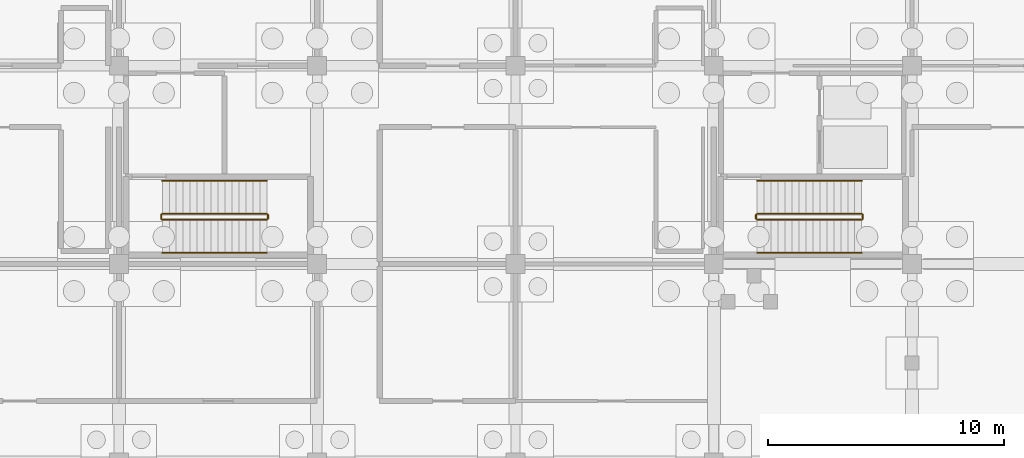
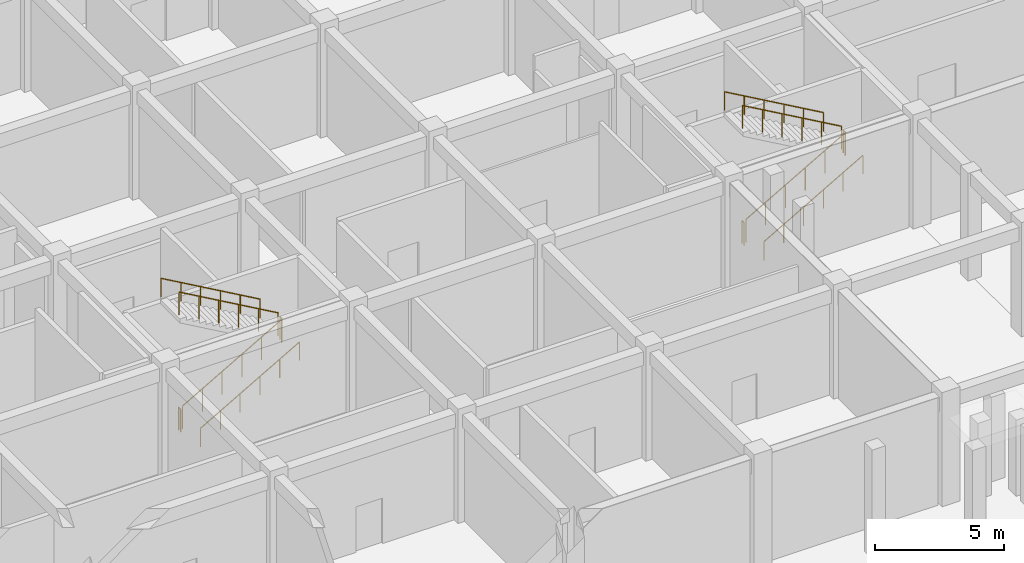
# One storey, part 53 of 65: 12 railings.
"""IFC4 building model written with IfcOpenShell, lengths in metres."""

from ifc_helpers import new_model, si_unit, direction, frame, origin, origin_2d, place, context, subcontext, project, spatial, circle, extrude, material, type_object, element, save


model = new_model("IFC4")

# Units and contexts
model_context = context("Model", 3, precision=1e-05, world=origin(), true_north=direction((0.0, 1.0)))
body_context = subcontext(model_context, "Body", "Model", "MODEL_VIEW")
ifc_project = project(units=[si_unit("LENGTHUNIT", "METRE"), si_unit("AREAUNIT", "SQUARE_METRE"), si_unit("VOLUMEUNIT", "CUBIC_METRE"), si_unit("PLANEANGLEUNIT", "RADIAN"), si_unit("MASSUNIT", "GRAM", prefix="KILO")], contexts=[model_context])

# Site, building, storey
site_placement = place(None, origin())
site = spatial("IfcSite", under=ifc_project, at=site_placement, CompositionType="ELEMENT")
building_placement = place(site_placement, origin())
building = spatial("IfcBuilding", under=site, at=building_placement, Name="Bramfleet General Hospital", CompositionType="ELEMENT")
storey_placement = place(building_placement, frame((0.0, 0.0, -5.39990234375)))
storey = spatial("IfcBuildingStorey", under=building, at=storey_placement, Name="B1", CompositionType="ELEMENT", Elevation=-5.39990234375)

# Railings
ifc_material_1 = material(Name="Powder-coated steel stair balustrade", Category="steel")
railing_type_1 = type_object("IfcRailingType", Name="RAIL-ST-GUARD", PredefinedType="GUARDRAIL", material=ifc_material_1)
railing_1_placement = place(storey_placement, frame((52.239990234375, 18.669921875, 0.168701171875)))
element("IfcRailing", 1, at=railing_1_placement, inside=storey, type_object=railing_type_1, Name="B1 ST-C1 stair guard 1", PredefinedType="GUARDRAIL", context=body_context, shape_type="SweptSolid", body=[
    extrude(circle(Radius=0.02392578125, at=origin_2d()), frame((0.0, 0.0, 1.076171875), z_axis=(0.868019072493, 0.0, 0.49653085482), x_axis=(0.0, 1.0, 0.0)), (0.0, 0.0, 1.0), 5.097900390625),
    extrude(circle(Radius=0.02099609375, at=origin_2d()), origin(), (0.0, 0.0, 1.0), 1.052001953125),
    extrude(circle(Radius=0.02099609375, at=origin_2d()), frame((0.885009765625, 0.0, 0.50634765625)), (0.0, 0.0, 1.0), 1.052001953125),
    extrude(circle(Radius=0.02099609375, at=origin_2d()), frame((1.77001953125, 0.0, 1.012451171875)), (0.0, 0.0, 1.0), 1.052001953125),
    extrude(circle(Radius=0.02099609375, at=origin_2d()), frame((2.655029296875, 0.0, 1.518798828125)), (0.0, 0.0, 1.0), 1.052001953125),
    extrude(circle(Radius=0.02099609375, at=origin_2d()), frame((3.5400390625, 0.0, 2.02490234375)), (0.0, 0.0, 1.0), 1.052001953125),
    extrude(circle(Radius=0.02099609375, at=origin_2d()), frame((4.425048828125, 0.0, 2.53125)), (0.0, 0.0, 1.0), 1.052001953125),
])
railing_2_placement = place(storey_placement, frame((56.715087890625, 18.719970703125, 2.699951171875)))
element("IfcRailing", 2, at=railing_2_placement, inside=storey, type_object=railing_type_1, Name="B1 ST-C1 stair guard 2", PredefinedType="GUARDRAIL", context=body_context, shape_type="SweptSolid", body=[
    extrude(circle(Radius=0.02392578125, at=origin_2d()), frame((0.0, 0.0, 1.076171875), z_axis=(0.0, 1.0, 0.0), x_axis=(-1.0, 0.0, 0.0)), (0.0, 0.0, 1.0), 0.159912109375),
    extrude(circle(Radius=0.02099609375, at=origin_2d()), origin(), (0.0, 0.0, 1.0), 1.052001953125),
    extrude(circle(Radius=0.02099609375, at=origin_2d()), frame((0.0, 0.159912109375, 0.0)), (0.0, 0.0, 1.0), 1.052001953125),
])
railing_3_placement = place(storey_placement, frame((56.6650390625, 18.929931640625, 2.86865234375)))
element("IfcRailing", 3, at=railing_3_placement, inside=storey, type_object=railing_type_1, Name="B1 ST-C1 stair guard 3", PredefinedType="GUARDRAIL", context=body_context, shape_type="SweptSolid", body=[
    extrude(circle(Radius=0.02392578125, at=origin_2d()), frame((0.0, 0.0, 1.076171875), z_axis=(-0.868019072493, 0.0, 0.49653085482), x_axis=(0.0, -1.0, 0.0)), (0.0, 0.0, 1.0), 5.097900390625),
    extrude(circle(Radius=0.02099609375, at=origin_2d()), origin(), (0.0, 0.0, 1.0), 1.052001953125),
    extrude(circle(Radius=0.02099609375, at=origin_2d()), frame((-0.885009765625, 0.0, 0.50634765625)), (0.0, 0.0, 1.0), 1.052001953125),
    extrude(circle(Radius=0.02099609375, at=origin_2d()), frame((-1.77001953125, 0.0, 1.012451171875)), (0.0, 0.0, 1.0), 1.052001953125),
    extrude(circle(Radius=0.02099609375, at=origin_2d()), frame((-2.655029296875, 0.0, 1.518798828125)), (0.0, 0.0, 1.0), 1.052001953125),
    extrude(circle(Radius=0.02099609375, at=origin_2d()), frame((-3.5400390625, 0.0, 2.02490234375)), (0.0, 0.0, 1.0), 1.052001953125),
    extrude(circle(Radius=0.02099609375, at=origin_2d()), frame((-4.425048828125, 0.0, 2.53125)), (0.0, 0.0, 1.0), 1.052001953125),
])
railing_4_placement = place(storey_placement, frame((52.18994140625, 18.719970703125, 0.0)))
element("IfcRailing", 4, at=railing_4_placement, inside=storey, type_object=railing_type_1, Name="B1 ST-C1 stair guard 4", PredefinedType="GUARDRAIL", context=body_context, shape_type="SweptSolid", body=[
    extrude(circle(Radius=0.02392578125, at=origin_2d()), frame((0.0, 0.0, 1.076171875), z_axis=(0.0, 1.0, 0.0), x_axis=(-1.0, 0.0, 0.0)), (0.0, 0.0, 1.0), 0.159912109375),
    extrude(circle(Radius=0.02099609375, at=origin_2d()), origin(), (0.0, 0.0, 1.0), 1.052001953125),
    extrude(circle(Radius=0.02099609375, at=origin_2d()), frame((0.0, 0.159912109375, 0.0)), (0.0, 0.0, 1.0), 1.052001953125),
])
railing_5_placement = place(storey_placement, frame((27.0400390625, 18.669921875, 0.168701171875)))
element("IfcRailing", 5, at=railing_5_placement, inside=storey, type_object=railing_type_1, Name="B1 ST-C7 stair guard 1", PredefinedType="GUARDRAIL", context=body_context, shape_type="SweptSolid", body=[
    extrude(circle(Radius=0.02392578125, at=origin_2d()), frame((0.0, 0.0, 1.076171875), z_axis=(0.868019072493, 0.0, 0.49653085482), x_axis=(0.0, 1.0, 0.0)), (0.0, 0.0, 1.0), 5.097900390625),
    extrude(circle(Radius=0.02099609375, at=origin_2d()), origin(), (0.0, 0.0, 1.0), 1.052001953125),
    extrude(circle(Radius=0.02099609375, at=origin_2d()), frame((0.885009765625, 0.0, 0.50634765625)), (0.0, 0.0, 1.0), 1.052001953125),
    extrude(circle(Radius=0.02099609375, at=origin_2d()), frame((1.77001953125, 0.0, 1.012451171875)), (0.0, 0.0, 1.0), 1.052001953125),
    extrude(circle(Radius=0.02099609375, at=origin_2d()), frame((2.655029296875, 0.0, 1.518798828125)), (0.0, 0.0, 1.0), 1.052001953125),
    extrude(circle(Radius=0.02099609375, at=origin_2d()), frame((3.5400390625, 0.0, 2.02490234375)), (0.0, 0.0, 1.0), 1.052001953125),
    extrude(circle(Radius=0.02099609375, at=origin_2d()), frame((4.425048828125, 0.0, 2.53125)), (0.0, 0.0, 1.0), 1.052001953125),
])
railing_6_placement = place(storey_placement, frame((31.514892578125, 18.719970703125, 2.699951171875)))
element("IfcRailing", 6, at=railing_6_placement, inside=storey, type_object=railing_type_1, Name="B1 ST-C7 stair guard 2", PredefinedType="GUARDRAIL", context=body_context, shape_type="SweptSolid", body=[
    extrude(circle(Radius=0.02392578125, at=origin_2d()), frame((0.0, 0.0, 1.076171875), z_axis=(0.0, 1.0, 0.0), x_axis=(-1.0, 0.0, 0.0)), (0.0, 0.0, 1.0), 0.159912109375),
    extrude(circle(Radius=0.02099609375, at=origin_2d()), origin(), (0.0, 0.0, 1.0), 1.052001953125),
    extrude(circle(Radius=0.02099609375, at=origin_2d()), frame((0.0, 0.159912109375, 0.0)), (0.0, 0.0, 1.0), 1.052001953125),
])
railing_7_placement = place(storey_placement, frame((31.465087890625, 18.929931640625, 2.86865234375)))
element("IfcRailing", 7, at=railing_7_placement, inside=storey, type_object=railing_type_1, Name="B1 ST-C7 stair guard 3", PredefinedType="GUARDRAIL", context=body_context, shape_type="SweptSolid", body=[
    extrude(circle(Radius=0.02392578125, at=origin_2d()), frame((0.0, 0.0, 1.076171875), z_axis=(-0.868019072493, 0.0, 0.49653085482), x_axis=(0.0, -1.0, 0.0)), (0.0, 0.0, 1.0), 5.097900390625),
    extrude(circle(Radius=0.02099609375, at=origin_2d()), origin(), (0.0, 0.0, 1.0), 1.052001953125),
    extrude(circle(Radius=0.02099609375, at=origin_2d()), frame((-0.885009765625, 0.0, 0.50634765625)), (0.0, 0.0, 1.0), 1.052001953125),
    extrude(circle(Radius=0.02099609375, at=origin_2d()), frame((-1.77001953125, 0.0, 1.012451171875)), (0.0, 0.0, 1.0), 1.052001953125),
    extrude(circle(Radius=0.02099609375, at=origin_2d()), frame((-2.655029296875, 0.0, 1.518798828125)), (0.0, 0.0, 1.0), 1.052001953125),
    extrude(circle(Radius=0.02099609375, at=origin_2d()), frame((-3.5400390625, 0.0, 2.02490234375)), (0.0, 0.0, 1.0), 1.052001953125),
    extrude(circle(Radius=0.02099609375, at=origin_2d()), frame((-4.425048828125, 0.0, 2.53125)), (0.0, 0.0, 1.0), 1.052001953125),
])
railing_8_placement = place(storey_placement, frame((26.989990234375, 18.719970703125, 0.0)))
element("IfcRailing", 8, at=railing_8_placement, inside=storey, type_object=railing_type_1, Name="B1 ST-C7 stair guard 4", PredefinedType="GUARDRAIL", context=body_context, shape_type="SweptSolid", body=[
    extrude(circle(Radius=0.02392578125, at=origin_2d()), frame((0.0, 0.0, 1.076171875), z_axis=(0.0, 1.0, 0.0), x_axis=(-1.0, 0.0, 0.0)), (0.0, 0.0, 1.0), 0.159912109375),
    extrude(circle(Radius=0.02099609375, at=origin_2d()), origin(), (0.0, 0.0, 1.0), 1.052001953125),
    extrude(circle(Radius=0.02099609375, at=origin_2d()), frame((0.0, 0.159912109375, 0.0)), (0.0, 0.0, 1.0), 1.052001953125),
])
ifc_material_2 = material(Name="Stainless steel 1.4301 stair handrail", Category="steel")
railing_type_2 = type_object("IfcRailingType", Name="RAIL-ST-HND", PredefinedType="HANDRAIL", material=ifc_material_2)
railing_9_placement = place(storey_placement, frame((52.239990234375, 17.27001953125, 0.168701171875)))
element("IfcRailing", 9, at=railing_9_placement, inside=storey, type_object=railing_type_2, Name="B1 ST-C1 stair handrail 1", PredefinedType="HANDRAIL", context=body_context, shape_type="SweptSolid", body=[
    extrude(circle(Radius=0.02392578125, at=origin_2d()), frame((0.0, 0.0, 0.8759765625), z_axis=(0.868019072493, 0.0, 0.49653085482), x_axis=(0.0, 1.0, 0.0)), (0.0, 0.0, 1.0), 5.097900390625),
    extrude(circle(Radius=0.02099609375, at=origin_2d()), origin(), (0.0, 0.0, 1.0), 0.851806640625),
    extrude(circle(Radius=0.02099609375, at=origin_2d()), frame((0.885009765625, 0.0, 0.50634765625)), (0.0, 0.0, 1.0), 0.851806640625),
    extrude(circle(Radius=0.02099609375, at=origin_2d()), frame((1.77001953125, 0.0, 1.012451171875)), (0.0, 0.0, 1.0), 0.851806640625),
    extrude(circle(Radius=0.02099609375, at=origin_2d()), frame((2.655029296875, 0.0, 1.518798828125)), (0.0, 0.0, 1.0), 0.851806640625),
    extrude(circle(Radius=0.02099609375, at=origin_2d()), frame((3.5400390625, 0.0, 2.02490234375)), (0.0, 0.0, 1.0), 0.851806640625),
    extrude(circle(Radius=0.02099609375, at=origin_2d()), frame((4.425048828125, 0.0, 2.53125)), (0.0, 0.0, 1.0), 0.851806640625),
])
railing_10_placement = place(storey_placement, frame((56.6650390625, 20.330078125, 2.86865234375)))
element("IfcRailing", 10, at=railing_10_placement, inside=storey, type_object=railing_type_2, Name="B1 ST-C1 stair handrail 2", PredefinedType="HANDRAIL", context=body_context, shape_type="SweptSolid", body=[
    extrude(circle(Radius=0.02392578125, at=origin_2d()), frame((0.0, 0.0, 0.8759765625), z_axis=(-0.868019072493, 0.0, 0.49653085482), x_axis=(0.0, -1.0, 0.0)), (0.0, 0.0, 1.0), 5.097900390625),
    extrude(circle(Radius=0.02099609375, at=origin_2d()), origin(), (0.0, 0.0, 1.0), 0.851806640625),
    extrude(circle(Radius=0.02099609375, at=origin_2d()), frame((-0.885009765625, 0.0, 0.50634765625)), (0.0, 0.0, 1.0), 0.851806640625),
    extrude(circle(Radius=0.02099609375, at=origin_2d()), frame((-1.77001953125, 0.0, 1.012451171875)), (0.0, 0.0, 1.0), 0.851806640625),
    extrude(circle(Radius=0.02099609375, at=origin_2d()), frame((-2.655029296875, 0.0, 1.518798828125)), (0.0, 0.0, 1.0), 0.851806640625),
    extrude(circle(Radius=0.02099609375, at=origin_2d()), frame((-3.5400390625, 0.0, 2.02490234375)), (0.0, 0.0, 1.0), 0.851806640625),
    extrude(circle(Radius=0.02099609375, at=origin_2d()), frame((-4.425048828125, 0.0, 2.53125)), (0.0, 0.0, 1.0), 0.851806640625),
])
railing_11_placement = place(storey_placement, frame((27.0400390625, 17.27001953125, 0.168701171875)))
element("IfcRailing", 11, at=railing_11_placement, inside=storey, type_object=railing_type_2, Name="B1 ST-C7 stair handrail 1", PredefinedType="HANDRAIL", context=body_context, shape_type="SweptSolid", body=[
    extrude(circle(Radius=0.02392578125, at=origin_2d()), frame((0.0, 0.0, 0.8759765625), z_axis=(0.868019072493, 0.0, 0.49653085482), x_axis=(0.0, 1.0, 0.0)), (0.0, 0.0, 1.0), 5.097900390625),
    extrude(circle(Radius=0.02099609375, at=origin_2d()), origin(), (0.0, 0.0, 1.0), 0.851806640625),
    extrude(circle(Radius=0.02099609375, at=origin_2d()), frame((0.885009765625, 0.0, 0.50634765625)), (0.0, 0.0, 1.0), 0.851806640625),
    extrude(circle(Radius=0.02099609375, at=origin_2d()), frame((1.77001953125, 0.0, 1.012451171875)), (0.0, 0.0, 1.0), 0.851806640625),
    extrude(circle(Radius=0.02099609375, at=origin_2d()), frame((2.655029296875, 0.0, 1.518798828125)), (0.0, 0.0, 1.0), 0.851806640625),
    extrude(circle(Radius=0.02099609375, at=origin_2d()), frame((3.5400390625, 0.0, 2.02490234375)), (0.0, 0.0, 1.0), 0.851806640625),
    extrude(circle(Radius=0.02099609375, at=origin_2d()), frame((4.425048828125, 0.0, 2.53125)), (0.0, 0.0, 1.0), 0.851806640625),
])
railing_12_placement = place(storey_placement, frame((31.465087890625, 20.330078125, 2.86865234375)))
element("IfcRailing", 12, at=railing_12_placement, inside=storey, type_object=railing_type_2, Name="B1 ST-C7 stair handrail 2", PredefinedType="HANDRAIL", context=body_context, shape_type="SweptSolid", body=[
    extrude(circle(Radius=0.02392578125, at=origin_2d()), frame((0.0, 0.0, 0.8759765625), z_axis=(-0.868019072493, 0.0, 0.49653085482), x_axis=(0.0, -1.0, 0.0)), (0.0, 0.0, 1.0), 5.097900390625),
    extrude(circle(Radius=0.02099609375, at=origin_2d()), origin(), (0.0, 0.0, 1.0), 0.851806640625),
    extrude(circle(Radius=0.02099609375, at=origin_2d()), frame((-0.885009765625, 0.0, 0.50634765625)), (0.0, 0.0, 1.0), 0.851806640625),
    extrude(circle(Radius=0.02099609375, at=origin_2d()), frame((-1.77001953125, 0.0, 1.012451171875)), (0.0, 0.0, 1.0), 0.851806640625),
    extrude(circle(Radius=0.02099609375, at=origin_2d()), frame((-2.655029296875, 0.0, 1.518798828125)), (0.0, 0.0, 1.0), 0.851806640625),
    extrude(circle(Radius=0.02099609375, at=origin_2d()), frame((-3.5400390625, 0.0, 2.02490234375)), (0.0, 0.0, 1.0), 0.851806640625),
    extrude(circle(Radius=0.02099609375, at=origin_2d()), frame((-4.425048828125, 0.0, 2.53125)), (0.0, 0.0, 1.0), 0.851806640625),
])

save(model, "model.ifc")
